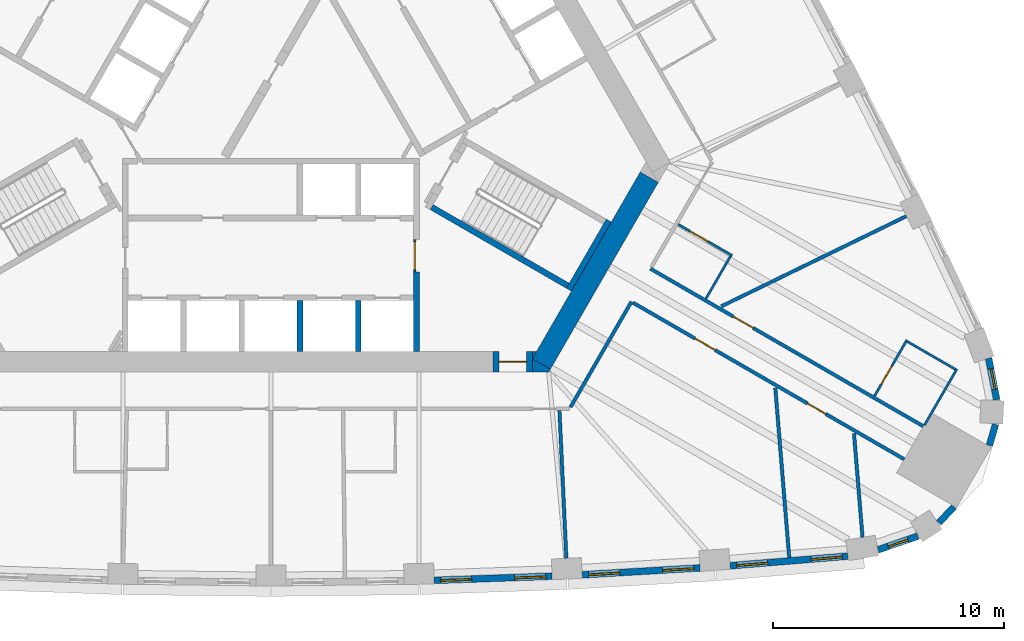
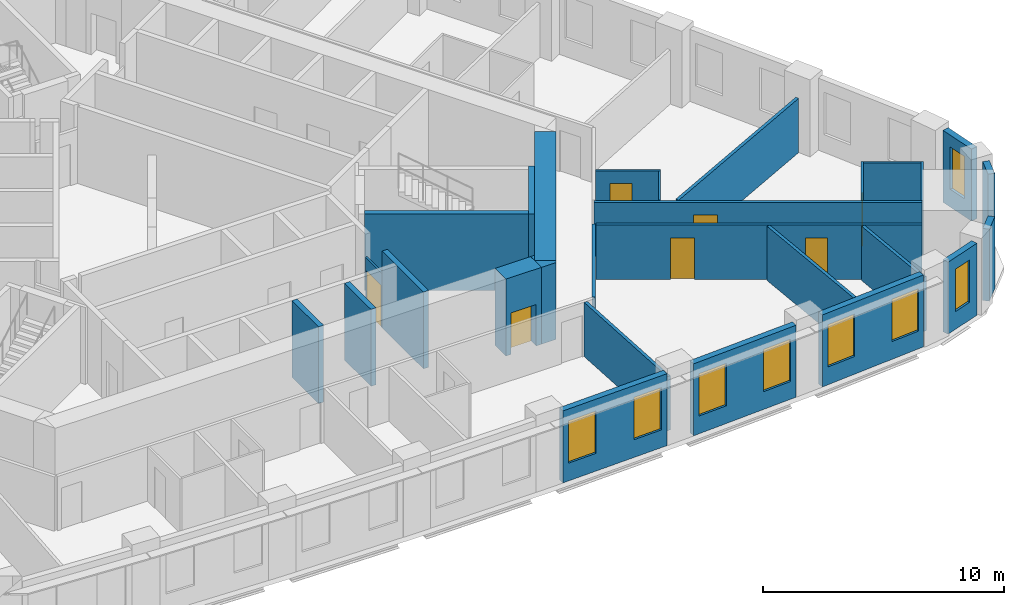
# One storey, part 7 of 12: 29 walls, 8 windows, 7 doors, 15 openings.
"""IFC4 building model written with IfcOpenShell, lengths in metres."""

from ifc_helpers import new_model, si_unit, direction, frame, frame_2d, origin, place, context, subcontext, project, spatial, polyline, rectangle, outline, extrude, material, layer, layer_set, type_object, element, fill, save


model = new_model("IFC4")

# Units and contexts
model_context = context("Model", 3, precision=1e-05, world=origin(), true_north=direction((0.0, 1.0)))
body_context = subcontext(model_context, "Body", "Model", "MODEL_VIEW")
ifc_project = project(units=[si_unit("LENGTHUNIT", "METRE"), si_unit("AREAUNIT", "SQUARE_METRE"), si_unit("VOLUMEUNIT", "CUBIC_METRE"), si_unit("PLANEANGLEUNIT", "RADIAN"), si_unit("MASSUNIT", "GRAM", prefix="KILO")], contexts=[model_context])

# Site, building, storey
site_placement = place(None, origin())
site = spatial("IfcSite", under=ifc_project, at=site_placement, CompositionType="ELEMENT")
building_placement = place(site_placement, origin())
building = spatial("IfcBuilding", under=site, at=building_placement, Name="Mestral Congress Tower", CompositionType="ELEMENT")
storey_placement = place(building_placement, frame((0.0, 0.0, 111.0)))
storey = spatial("IfcBuildingStorey", under=building, at=storey_placement, Name="L26", CompositionType="ELEMENT", Elevation=111.0)

# Wall, opening, door
ifc_material_1 = material(Name="Fire-rated board partition")
ifc_layer_1 = layer(ifc_material_1, 0.090087890625)
ifc_layer_set_1 = layer_set([ifc_layer_1], Name="Fire-rated board partition")
wall_type_1 = type_object("IfcWallType", Name="Core partition 150 door-wall 90", PredefinedType="PARTITIONING", material=ifc_layer_set_1)
wall_1_placement = place(storey_placement, frame((6.219970703125, -7.266357421875, 0.0), z_axis=(0.0, 0.0, 1.0), x_axis=(0.0, -1.0, 0.0)))
wall_1 = element("IfcWall", 1, at=wall_1_placement, inside=storey, type_object=wall_type_1, Name="L26 door wall", PredefinedType="PARTITIONING", context=body_context, shape_type="SweptSolid", body=[
    extrude(rectangle(XDim=1.400146484375, YDim=0.090087890625, at=frame_2d((0.7001953125, 0.0))), origin(), (0.0, 0.0, 1.0), 2.75),
])
opening_1_placement = place(wall_1_placement, frame((0.10009765625, 0.0, 0.0)))
opening_1 = element("IfcOpeningElement", 2, at=opening_1_placement, cuts=wall_1, Name="Opening LB0-WL1", PredefinedType="OPENING", context=body_context, shape_type="SweptSolid", body=[
    extrude(rectangle(XDim=1.199951171875, YDim=2.10009765625, at=frame_2d((0.60009765625, 1.050048828125))), frame((0.0, 0.054931640625, 0.0), z_axis=(0.0, -1.0, 0.0), x_axis=(1.0, 0.0, 0.0)), (0.0, 0.0, 1.0), 0.110107421875),
])
ifc_material_2 = material(Name="Fire-rated steel door set", Category="steel")
door_type_1 = type_object("IfcDoorType", Name="Core door LB 1200x2100", OperationType="SINGLE_SWING_LEFT", PredefinedType="DOOR", material=ifc_material_2)
door_1_placement = place(opening_1_placement, origin())
door_1 = element("IfcDoor", 3, at=door_1_placement, inside=storey, type_object=door_type_1, Name="Door LB0-WL1", OperationType="SINGLE_SWING_LEFT", OverallHeight=2.10009765625, OverallWidth=1.199951171875, PredefinedType="DOOR", context=body_context, shape_type="SweptSolid", body=[
    extrude(rectangle(XDim=1.199951171875, YDim=2.10009765625, at=frame_2d((0.60009765625, 1.050048828125))), frame((0.0, 0.02490234375, 0.0), z_axis=(0.0, -1.0, 0.0), x_axis=(1.0, 0.0, 0.0)), (0.0, 0.0, 1.0), 0.050048828125),
])
fill(opening_1, door_1)

# Walls
ifc_material_3 = material(Name="Concrete C60/75", Category="concrete")
ifc_layer_2 = layer(ifc_material_3, 0.89990234375)
ifc_layer_set_2 = layer_set([ifc_layer_2], Name="Concrete C60/75")
wall_type_2 = type_object("IfcWallType", Name="Core wall RC 900", PredefinedType="SOLIDWALL", material=ifc_layer_set_2)
wall_2_placement = place(storey_placement, frame((11.69482421875, -12.643798828125, 0.0), z_axis=(0.0, 0.0, 1.0), x_axis=(0.500010229568, 0.86601949766, 0.0)))
element("IfcWall", 4, at=wall_2_placement, inside=storey, type_object=wall_type_2, Name="L26 core wall", PredefinedType="SOLIDWALL", context=body_context, shape_type="SweptSolid", body=[
    extrude(rectangle(XDim=9.326416015625, YDim=0.89990234375, at=frame_2d((4.6630859375, 0.0))), origin(), (0.0, 0.0, 1.0), 3.89990234375),
])
placement = place(storey_placement, origin())
element("IfcWall", 5, at=placement, inside=storey, type_object=wall_type_2, Name="L26 core wall", PredefinedType="SOLIDWALL", context=body_context, shape_type="SweptSolid", body=[
    extrude(outline(polyline([(12.0087890625, -13.0), (11.31201171875, -13.0), (11.31201171875, -12.425048828125), (12.08349609375, -12.87060546875), (12.0087890625, -13.0)])), origin(), (0.0, 0.0, 1.0), 3.89990234375),
])
element("IfcWall", 6, at=placement, inside=storey, type_object=wall_type_2, Name="L26 core wall", PredefinedType="SOLIDWALL", context=body_context, shape_type="SweptSolid", body=[
    extrude(outline(polyline([(11.4892578125, -12.10009765625), (11.31201171875, -12.4072265625), (11.31201171875, -12.10009765625), (11.4892578125, -12.10009765625)])), origin(), (0.0, 0.0, 1.0), 3.89990234375),
])

# Wall, opening, door
wall_5_placement = place(storey_placement, frame((11.311767578125, -12.550048828125, 0.0), z_axis=(0.0, 0.0, 1.0), x_axis=(-1.0, 0.0, 0.0)))
wall_5 = element("IfcWall", 7, at=wall_5_placement, inside=storey, type_object=wall_type_2, Name="L26 door wall", PredefinedType="SOLIDWALL", context=body_context, shape_type="SweptSolid", body=[
    extrude(rectangle(XDim=1.699951171875, YDim=0.89990234375, at=frame_2d((0.85009765625, 0.0))), origin(), (0.0, 0.0, 1.0), 3.89990234375),
])
opening_2_placement = place(wall_5_placement, frame((0.25, 0.0, 0.0)))
opening_2 = element("IfcOpeningElement", 8, at=opening_2_placement, cuts=wall_5, Name="Opening XD1", PredefinedType="OPENING", context=body_context, shape_type="SweptSolid", body=[
    extrude(rectangle(XDim=1.199951171875, YDim=2.10009765625, at=frame_2d((0.60009765625, 1.050048828125))), frame((0.0, 0.4599609375, 0.0), z_axis=(0.0, -1.0, 0.0), x_axis=(1.0, 0.0, 0.0)), (0.0, 0.0, 1.0), 0.919921875),
])
door_type_2 = type_object("IfcDoorType", Name="Core door XD 1200x2100", OperationType="SINGLE_SWING_LEFT", PredefinedType="DOOR", material=ifc_material_2)
door_2_placement = place(opening_2_placement, origin())
door_2 = element("IfcDoor", 9, at=door_2_placement, inside=storey, type_object=door_type_2, Name="Door XD1", OperationType="SINGLE_SWING_LEFT", OverallHeight=2.10009765625, OverallWidth=1.199951171875, PredefinedType="DOOR", context=body_context, shape_type="SweptSolid", body=[
    extrude(rectangle(XDim=1.199951171875, YDim=2.10009765625, at=frame_2d((0.60009765625, 1.050048828125))), frame((0.0, 0.02490234375, 0.0), z_axis=(0.0, -1.0, 0.0), x_axis=(1.0, 0.0, 0.0)), (0.0, 0.0, 1.0), 0.050048828125),
])
fill(opening_2, door_2)

# Wall, openings, windows
ifc_material_4 = material(Name="Precast concrete C40/50 with limestone facing", Category="masonry")
ifc_layer_3 = layer(ifc_material_4, 0.2900390625)
ifc_layer_set_3 = layer_set([ifc_layer_3], Name="Precast concrete C40/50 with limestone facing")
wall_type_3 = type_object("IfcWallType", Name="Facade stone wall 290", PredefinedType="SOLIDWALL", material=ifc_layer_set_3)
wall_6_placement = place(storey_placement, frame((7.059326171875, -22.000732421875, 0.0), z_axis=(0.0, 0.0, 1.0), x_axis=(0.999385993957, 0.035037623812, 0.0)))
wall_6 = element("IfcWall", 10, at=wall_6_placement, inside=storey, type_object=wall_type_3, Name="Facade wall F0-05", PredefinedType="SOLIDWALL", context=body_context, shape_type="SweptSolid", body=[
    extrude(rectangle(XDim=5.1005859375, YDim=0.2900390625, at=frame_2d((2.55029296875, 0.0))), origin(), (0.0, 0.0, 1.0), 3.64990234375),
])
opening_3_placement = place(wall_6_placement, frame((0.272705078125, 0.0, 0.89990234375)))
opening_3 = element("IfcOpeningElement", 11, at=opening_3_placement, cuts=wall_6, Name="Opening W2", PredefinedType="OPENING", context=body_context, shape_type="SweptSolid", body=[
    extrude(rectangle(XDim=1.35009765625, YDim=2.14990234375, at=frame_2d((0.675048828125, 1.074951171875))), frame((0.0, 0.155029296875, 0.0), z_axis=(0.0, -1.0, 0.0), x_axis=(1.0, 0.0, 0.0)), (0.0, 0.0, 1.0), 0.31005859375),
])
opening_4_placement = place(wall_6_placement, frame((3.477783203125, 0.0, 0.89990234375)))
opening_4 = element("IfcOpeningElement", 12, at=opening_4_placement, cuts=wall_6, Name="Opening W2", PredefinedType="OPENING", context=body_context, shape_type="SweptSolid", body=[
    extrude(rectangle(XDim=1.35009765625, YDim=2.14990234375, at=frame_2d((0.675048828125, 1.074951171875))), frame((0.0, 0.155029296875, 0.0), z_axis=(0.0, -1.0, 0.0), x_axis=(1.0, 0.0, 0.0)), (0.0, 0.0, 1.0), 0.31005859375),
])
ifc_material_5 = material(Name="Clear low-emissivity double glazing", Category="glass")
window_type_1 = type_object("IfcWindowType", Name="Facade punched window 1350 x 2150 sill 900", PartitioningType="DOUBLE_PANEL_VERTICAL", PredefinedType="WINDOW", material=ifc_material_5)
window_1_placement = place(opening_3_placement, origin())
window_1 = element("IfcWindow", 13, at=window_1_placement, inside=storey, type_object=window_type_1, Name="Window F0-05a", OverallHeight=2.14990234375, OverallWidth=1.35009765625, PartitioningType="DOUBLE_PANEL_VERTICAL", PredefinedType="WINDOW", context=body_context, shape_type="SweptSolid", body=[
    extrude(rectangle(XDim=1.35009765625, YDim=2.14990234375, at=frame_2d((0.675048828125, 1.074951171875))), frame((0.0, 0.01513671875, 0.0), z_axis=(0.0, -1.0, 0.0), x_axis=(1.0, 0.0, 0.0)), (0.0, 0.0, 1.0), 0.06005859375),
])
fill(opening_3, window_1)
window_2_placement = place(opening_4_placement, origin())
window_2 = element("IfcWindow", 14, at=window_2_placement, inside=storey, type_object=window_type_1, Name="Window F0-05b", OverallHeight=2.14990234375, OverallWidth=1.35009765625, PartitioningType="DOUBLE_PANEL_VERTICAL", PredefinedType="WINDOW", context=body_context, shape_type="SweptSolid", body=[
    extrude(rectangle(XDim=1.35009765625, YDim=2.14990234375, at=frame_2d((0.675048828125, 1.074951171875))), frame((0.0, 0.01513671875, 0.0), z_axis=(0.0, -1.0, 0.0), x_axis=(1.0, 0.0, 0.0)), (0.0, 0.0, 1.0), 0.06005859375),
])
fill(opening_4, window_2)

wall_7_placement = place(storey_placement, frame((13.4619140625, -21.760986328125, 0.0), z_axis=(0.0, 0.0, 1.0), x_axis=(0.998290511436, 0.058447025388, 0.0)))
wall_7 = element("IfcWall", 15, at=wall_7_placement, inside=storey, type_object=wall_type_3, Name="Facade wall F0-06", PredefinedType="SOLIDWALL", context=body_context, shape_type="SweptSolid", body=[
    extrude(rectangle(XDim=5.100341796875, YDim=0.2900390625, at=frame_2d((2.55029296875, 0.0))), origin(), (0.0, 0.0, 1.0), 3.64990234375),
])
opening_5_placement = place(wall_7_placement, frame((0.2724609375, 0.0, 0.89990234375)))
opening_5 = element("IfcOpeningElement", 16, at=opening_5_placement, cuts=wall_7, Name="Opening W2", PredefinedType="OPENING", context=body_context, shape_type="SweptSolid", body=[
    extrude(rectangle(XDim=1.35009765625, YDim=2.14990234375, at=frame_2d((0.675048828125, 1.074951171875))), frame((0.0, 0.155029296875, 0.0), z_axis=(0.0, -1.0, 0.0), x_axis=(1.0, 0.0, 0.0)), (0.0, 0.0, 1.0), 0.31005859375),
])
opening_6_placement = place(wall_7_placement, frame((3.477783203125, 0.0, 0.89990234375)))
opening_6 = element("IfcOpeningElement", 17, at=opening_6_placement, cuts=wall_7, Name="Opening W2", PredefinedType="OPENING", context=body_context, shape_type="SweptSolid", body=[
    extrude(rectangle(XDim=1.35009765625, YDim=2.14990234375, at=frame_2d((0.675048828125, 1.074951171875))), frame((0.0, 0.155029296875, 0.0), z_axis=(0.0, -1.0, 0.0), x_axis=(1.0, 0.0, 0.0)), (0.0, 0.0, 1.0), 0.31005859375),
])
window_3_placement = place(opening_5_placement, origin())
window_3 = element("IfcWindow", 18, at=window_3_placement, inside=storey, type_object=window_type_1, Name="Window F0-06a", OverallHeight=2.14990234375, OverallWidth=1.35009765625, PartitioningType="DOUBLE_PANEL_VERTICAL", PredefinedType="WINDOW", context=body_context, shape_type="SweptSolid", body=[
    extrude(rectangle(XDim=1.35009765625, YDim=2.14990234375, at=frame_2d((0.675048828125, 1.074951171875))), frame((0.0, 0.01513671875, 0.0), z_axis=(0.0, -1.0, 0.0), x_axis=(1.0, 0.0, 0.0)), (0.0, 0.0, 1.0), 0.06005859375),
])
fill(opening_5, window_3)
window_4_placement = place(opening_6_placement, origin())
window_4 = element("IfcWindow", 19, at=window_4_placement, inside=storey, type_object=window_type_1, Name="Window F0-06b", OverallHeight=2.14990234375, OverallWidth=1.35009765625, PartitioningType="DOUBLE_PANEL_VERTICAL", PredefinedType="WINDOW", context=body_context, shape_type="SweptSolid", body=[
    extrude(rectangle(XDim=1.35009765625, YDim=2.14990234375, at=frame_2d((0.675048828125, 1.074951171875))), frame((0.0, 0.01513671875, 0.0), z_axis=(0.0, -1.0, 0.0), x_axis=(1.0, 0.0, 0.0)), (0.0, 0.0, 1.0), 0.06005859375),
])
fill(opening_6, window_4)

wall_8_placement = place(storey_placement, frame((19.856689453125, -21.37109375, 0.0), z_axis=(0.0, 0.0, 1.0), x_axis=(0.99665273362, 0.081751627308, 0.0)))
wall_8 = element("IfcWall", 20, at=wall_8_placement, inside=storey, type_object=wall_type_3, Name="Facade wall F0-07", PredefinedType="SOLIDWALL", context=body_context, shape_type="SweptSolid", body=[
    extrude(rectangle(XDim=5.106689453125, YDim=0.2900390625, at=frame_2d((2.55322265625, 0.0))), origin(), (0.0, 0.0, 1.0), 3.64990234375),
])
opening_7_placement = place(wall_8_placement, frame((0.285400390625, 0.0, 0.89990234375)))
opening_7 = element("IfcOpeningElement", 21, at=opening_7_placement, cuts=wall_8, Name="Opening W2", PredefinedType="OPENING", context=body_context, shape_type="SweptSolid", body=[
    extrude(rectangle(XDim=1.35009765625, YDim=2.14990234375, at=frame_2d((0.675048828125, 1.074951171875))), frame((0.0, 0.155029296875, 0.0), z_axis=(0.0, -1.0, 0.0), x_axis=(1.0, 0.0, 0.0)), (0.0, 0.0, 1.0), 0.31005859375),
])
opening_8_placement = place(wall_8_placement, frame((3.51611328125, 0.0, 0.89990234375)))
opening_8 = element("IfcOpeningElement", 22, at=opening_8_placement, cuts=wall_8, Name="Opening W2", PredefinedType="OPENING", context=body_context, shape_type="SweptSolid", body=[
    extrude(rectangle(XDim=1.35009765625, YDim=2.14990234375, at=frame_2d((0.675048828125, 1.074951171875))), frame((0.0, 0.155029296875, 0.0), z_axis=(0.0, -1.0, 0.0), x_axis=(1.0, 0.0, 0.0)), (0.0, 0.0, 1.0), 0.31005859375),
])
window_5_placement = place(opening_7_placement, origin())
window_5 = element("IfcWindow", 23, at=window_5_placement, inside=storey, type_object=window_type_1, Name="Window F0-07a", OverallHeight=2.14990234375, OverallWidth=1.35009765625, PartitioningType="DOUBLE_PANEL_VERTICAL", PredefinedType="WINDOW", context=body_context, shape_type="SweptSolid", body=[
    extrude(rectangle(XDim=1.35009765625, YDim=2.14990234375, at=frame_2d((0.675048828125, 1.074951171875))), frame((0.0, 0.01513671875, 0.0), z_axis=(0.0, -1.0, 0.0), x_axis=(1.0, 0.0, 0.0)), (0.0, 0.0, 1.0), 0.06005859375),
])
fill(opening_7, window_5)
window_6_placement = place(opening_8_placement, origin())
window_6 = element("IfcWindow", 24, at=window_6_placement, inside=storey, type_object=window_type_1, Name="Window F0-07b", OverallHeight=2.14990234375, OverallWidth=1.35009765625, PartitioningType="DOUBLE_PANEL_VERTICAL", PredefinedType="WINDOW", context=body_context, shape_type="SweptSolid", body=[
    extrude(rectangle(XDim=1.35009765625, YDim=2.14990234375, at=frame_2d((0.675048828125, 1.074951171875))), frame((0.0, 0.01513671875, 0.0), z_axis=(0.0, -1.0, 0.0), x_axis=(1.0, 0.0, 0.0)), (0.0, 0.0, 1.0), 0.06005859375),
])
fill(opening_8, window_6)

# Wall, opening, window
wall_9_placement = place(storey_placement, frame((26.260986328125, -20.67919921875, 0.0), z_axis=(0.0, 0.0, 1.0), x_axis=(0.945385815453, 0.325953462844, 0.0)))
wall_9 = element("IfcWall", 25, at=wall_9_placement, inside=storey, type_object=wall_type_3, Name="Facade wall K0-0", PredefinedType="SOLIDWALL", context=body_context, shape_type="SweptSolid", body=[
    extrude(rectangle(XDim=1.8193359375, YDim=0.2900390625, at=frame_2d((0.90966796875, 0.0))), origin(), (0.0, 0.0, 1.0), 3.64990234375),
])
opening_9_placement = place(wall_9_placement, frame((0.459716796875, 0.0, 0.89990234375)))
opening_9 = element("IfcOpeningElement", 26, at=opening_9_placement, cuts=wall_9, Name="Opening W3", PredefinedType="OPENING", context=body_context, shape_type="SweptSolid", body=[
    extrude(rectangle(XDim=0.89990234375, YDim=2.14990234375, at=frame_2d((0.449951171875, 1.074951171875))), frame((0.0, 0.155029296875, 0.0), z_axis=(0.0, -1.0, 0.0), x_axis=(1.0, 0.0, 0.0)), (0.0, 0.0, 1.0), 0.31005859375),
])
window_type_2 = type_object("IfcWindowType", Name="Facade punched window 900 x 2150 sill 900", PartitioningType="SINGLE_PANEL", PredefinedType="WINDOW", material=ifc_material_5)
window_7_placement = place(opening_9_placement, origin())
window_7 = element("IfcWindow", 27, at=window_7_placement, inside=storey, type_object=window_type_2, Name="Window K0-0", OverallHeight=2.14990234375, OverallWidth=0.89990234375, PartitioningType="SINGLE_PANEL", PredefinedType="WINDOW", context=body_context, shape_type="SweptSolid", body=[
    extrude(rectangle(XDim=0.89990234375, YDim=2.14990234375, at=frame_2d((0.449951171875, 1.074951171875))), frame((0.0, 0.01513671875, 0.0), z_axis=(0.0, -1.0, 0.0), x_axis=(1.0, 0.0, 0.0)), (0.0, 0.0, 1.0), 0.06005859375),
])
fill(opening_9, window_7)

# Walls
wall_10_placement = place(storey_placement, frame((28.88037109375, -19.50927734375, 0.0), z_axis=(0.0, 0.0, 1.0), x_axis=(0.690414427296, 0.723414071319, 0.0)))
element("IfcWall", 28, at=wall_10_placement, inside=storey, type_object=wall_type_3, Name="Facade wall K0-1", PredefinedType="SOLIDWALL", context=body_context, shape_type="SweptSolid", body=[
    extrude(rectangle(XDim=0.947021484375, YDim=0.2900390625, at=frame_2d((0.4736328125, 0.0))), origin(), (0.0, 0.0, 1.0), 3.64990234375),
])
wall_11_placement = place(storey_placement, frame((31.069091796875, -16.165283203125, 0.0), z_axis=(0.0, 0.0, 1.0), x_axis=(0.281454582132, 0.95957455062, 0.0)))
element("IfcWall", 29, at=wall_11_placement, inside=storey, type_object=wall_type_3, Name="Facade wall K0-2", PredefinedType="SOLIDWALL", context=body_context, shape_type="SweptSolid", body=[
    extrude(rectangle(XDim=0.947265625, YDim=0.2900390625, at=frame_2d((0.4736328125, 0.0))), origin(), (0.0, 0.0, 1.0), 3.64990234375),
])

# Wall, opening, window
wall_12_placement = place(storey_placement, frame((31.385498046875, -14.189208984375, 0.0), z_axis=(0.0, 0.0, 1.0), x_axis=(-0.190409913989, 0.981704672829, 0.0)))
wall_12 = element("IfcWall", 30, at=wall_12_placement, inside=storey, type_object=wall_type_3, Name="Facade wall K0-3", PredefinedType="SOLIDWALL", context=body_context, shape_type="SweptSolid", body=[
    extrude(rectangle(XDim=1.8193359375, YDim=0.2900390625, at=frame_2d((0.90966796875, 0.0))), origin(), (0.0, 0.0, 1.0), 3.64990234375),
])
opening_10_placement = place(wall_12_placement, frame((0.459716796875, 0.0, 0.89990234375)))
opening_10 = element("IfcOpeningElement", 31, at=opening_10_placement, cuts=wall_12, Name="Opening W3", PredefinedType="OPENING", context=body_context, shape_type="SweptSolid", body=[
    extrude(rectangle(XDim=0.89990234375, YDim=2.14990234375, at=frame_2d((0.449951171875, 1.074951171875))), frame((0.0, 0.155029296875, 0.0), z_axis=(0.0, -1.0, 0.0), x_axis=(1.0, 0.0, 0.0)), (0.0, 0.0, 1.0), 0.31005859375),
])
window_8_placement = place(opening_10_placement, origin())
window_8 = element("IfcWindow", 32, at=window_8_placement, inside=storey, type_object=window_type_2, Name="Window K0-3", OverallHeight=2.14990234375, OverallWidth=0.89990234375, PartitioningType="SINGLE_PANEL", PredefinedType="WINDOW", context=body_context, shape_type="SweptSolid", body=[
    extrude(rectangle(XDim=0.89990234375, YDim=2.14990234375, at=frame_2d((0.449951171875, 1.074951171875))), frame((0.0, 0.01513671875, 0.0), z_axis=(0.0, -1.0, 0.0), x_axis=(1.0, 0.0, 0.0)), (0.0, 0.0, 1.0), 0.06005859375),
])
fill(opening_10, window_8)

# Wall, opening, door
ifc_material_6 = material(Name="Gypsum board partition on metal studs with mineral wool", Category="composite")
ifc_layer_4 = layer(ifc_material_6, 0.10009765625)
ifc_layer_set_4 = layer_set([ifc_layer_4], Name="Gypsum board partition on metal studs with mineral wool")
wall_type_4 = type_object("IfcWallType", Name="Hotel partition wall 100", PredefinedType="PARTITIONING", material=ifc_layer_set_4)
wall_13_placement = place(storey_placement, frame((27.50048828125, -11.60498046875, 0.0), z_axis=(0.0, 0.0, 1.0), x_axis=(-0.500049511043, -0.865996816683, 0.0)))
wall_13 = element("IfcWall", 33, at=wall_13_placement, inside=storey, type_object=wall_type_4, Name="L26-h-pod08a", PredefinedType="PARTITIONING", context=body_context, shape_type="SweptSolid", body=[
    extrude(rectangle(XDim=2.800048828125, YDim=0.10009765625, at=frame_2d((1.39990234375, 0.0))), origin(), (0.0, 0.0, 1.0), 2.75),
])
opening_11_placement = place(wall_13_placement, frame((1.300048828125, 0.0, 0.0)))
opening_11 = element("IfcOpeningElement", 34, at=opening_11_placement, cuts=wall_13, Name="Opening H08-013", PredefinedType="OPENING", context=body_context, shape_type="SweptSolid", body=[
    extrude(rectangle(XDim=0.89990234375, YDim=2.10009765625, at=frame_2d((0.449951171875, 1.050048828125))), frame((0.0, 0.06005859375, 0.0), z_axis=(0.0, -1.0, 0.0), x_axis=(1.0, 0.0, 0.0)), (0.0, 0.0, 1.0), 0.1201171875),
])
ifc_material_7 = material(Name="Timber veneer door leaf in timber frame", Category="wood")
door_type_3 = type_object("IfcDoorType", Name="Bathroom door 900", OperationType="SINGLE_SWING_LEFT", PredefinedType="DOOR", material=ifc_material_7)
door_3_placement = place(opening_11_placement, origin())
door_3 = element("IfcDoor", 35, at=door_3_placement, inside=storey, type_object=door_type_3, Name="L26-h-d013", OperationType="SINGLE_SWING_LEFT", OverallHeight=2.10009765625, OverallWidth=0.89990234375, PredefinedType="DOOR", context=body_context, shape_type="SweptSolid", body=[
    extrude(rectangle(XDim=0.89990234375, YDim=2.10009765625, at=frame_2d((0.449951171875, 1.050048828125))), frame((0.0, 0.02490234375, 0.0), z_axis=(0.0, -1.0, 0.0), x_axis=(1.0, 0.0, 0.0)), (0.0, 0.0, 1.0), 0.050048828125),
])
fill(opening_11, door_3)

# Walls
wall_14_placement = place(storey_placement, frame((27.518798828125, -11.67333984375, 0.0), z_axis=(0.0, 0.0, 1.0), x_axis=(0.866024647952, -0.500001309137, 0.0)))
element("IfcWall", 36, at=wall_14_placement, inside=storey, type_object=wall_type_4, Name="L26-h-pod08b", PredefinedType="PARTITIONING", context=body_context, shape_type="SweptSolid", body=[
    extrude(rectangle(XDim=2.39990234375, YDim=0.10009765625, at=frame_2d((1.199951171875, 0.0))), origin(), (0.0, 0.0, 1.0), 2.75),
])
wall_15_placement = place(storey_placement, frame((28.265380859375, -15.27978515625, 0.0), z_axis=(0.0, 0.0, 1.0), x_axis=(0.500049511043, 0.865996816683, 0.0)))
element("IfcWall", 37, at=wall_15_placement, inside=storey, type_object=wall_type_4, Name="L26-h-pod08c", PredefinedType="PARTITIONING", context=body_context, shape_type="SweptSolid", body=[
    extrude(rectangle(XDim=2.800048828125, YDim=0.10009765625, at=frame_2d((1.39990234375, 0.0))), origin(), (0.0, 0.0, 1.0), 2.75),
])

# Wall, opening, door
wall_16_placement = place(storey_placement, frame((19.945556640625, -7.953369140625, 0.0), z_axis=(0.0, 0.0, 1.0), x_axis=(-0.86599734893, 0.500048589285, 0.0)))
wall_16 = element("IfcWall", 38, at=wall_16_placement, inside=storey, type_object=wall_type_4, Name="L26-h-pod09a", PredefinedType="PARTITIONING", context=body_context, shape_type="SweptSolid", body=[
    extrude(rectangle(XDim=2.699951171875, YDim=0.10009765625, at=frame_2d((1.35009765625, 0.0))), origin(), (0.0, 0.0, 1.0), 2.75),
])
opening_12_placement = place(wall_16_placement, frame((1.199951171875, 0.0, 0.0)))
opening_12 = element("IfcOpeningElement", 39, at=opening_12_placement, cuts=wall_16, Name="Opening H08-015", PredefinedType="OPENING", context=body_context, shape_type="SweptSolid", body=[
    extrude(rectangle(XDim=0.89990234375, YDim=2.10009765625, at=frame_2d((0.449951171875, 1.050048828125))), frame((0.0, 0.06005859375, 0.0), z_axis=(0.0, -1.0, 0.0), x_axis=(1.0, 0.0, 0.0)), (0.0, 0.0, 1.0), 0.1201171875),
])
door_4_placement = place(opening_12_placement, origin())
door_4 = element("IfcDoor", 40, at=door_4_placement, inside=storey, type_object=door_type_3, Name="L26-h-d015", OperationType="SINGLE_SWING_RIGHT", OverallHeight=2.10009765625, OverallWidth=0.89990234375, PredefinedType="DOOR", context=body_context, shape_type="SweptSolid", body=[
    extrude(rectangle(XDim=0.89990234375, YDim=2.10009765625, at=frame_2d((0.449951171875, 1.050048828125))), frame((0.0, 0.02490234375, 0.0), z_axis=(0.0, -1.0, 0.0), x_axis=(1.0, 0.0, 0.0)), (0.0, 0.0, 1.0), 0.050048828125),
])
fill(opening_12, door_4)

# Wall
wall_17_placement = place(storey_placement, frame((19.877197265625, -7.9716796875, 0.0), z_axis=(0.0, 0.0, 1.0), x_axis=(-0.500010206181, -0.866019511163, 0.0)))
element("IfcWall", 41, at=wall_17_placement, inside=storey, type_object=wall_type_4, Name="L26-h-pod09b", PredefinedType="PARTITIONING", context=body_context, shape_type="SweptSolid", body=[
    extrude(rectangle(XDim=2.1298828125, YDim=0.10009765625, at=frame_2d((1.06494140625, 0.0))), origin(), (0.0, 0.0, 1.0), 2.75),
])

# Wall, opening, door
ifc_layer_5 = layer(ifc_material_6, 0.14990234375)
ifc_layer_set_5 = layer_set([ifc_layer_5], Name="Gypsum board partition on metal studs with mineral wool")
wall_type_5 = type_object("IfcWallType", Name="Hotel partition wall 150", PredefinedType="PARTITIONING", material=ifc_layer_set_5)
wall_18_placement = place(storey_placement, frame((16.412353515625, -8.52294921875, 0.0), z_axis=(0.0, 0.0, 1.0), x_axis=(0.866025629663, -0.499999608766, 0.0)))
wall_18 = element("IfcWall", 42, at=wall_18_placement, inside=storey, type_object=wall_type_5, Name="L26-h-cw01", PredefinedType="PARTITIONING", context=body_context, shape_type="SweptSolid", body=[
    extrude(rectangle(XDim=13.62353515625, YDim=0.14990234375, at=frame_2d((6.811767578125, 0.0))), origin(), (0.0, 0.0, 1.0), 2.75),
])
opening_13_placement = place(wall_18_placement, frame((4.134033203125, 0.0, 0.0)))
opening_13 = element("IfcOpeningElement", 43, at=opening_13_placement, cuts=wall_18, Name="Opening H08-012", PredefinedType="OPENING", context=body_context, shape_type="SweptSolid", body=[
    extrude(rectangle(XDim=1.0, YDim=2.10009765625, at=frame_2d((0.5, 1.050048828125))), frame((0.0, 0.0849609375, 0.0), z_axis=(0.0, -1.0, 0.0), x_axis=(1.0, 0.0, 0.0)), (0.0, 0.0, 1.0), 0.169921875),
])
ifc_material_8 = material(Name="Timber veneer door leaf in metal frame", Category="wood")
door_type_4 = type_object("IfcDoorType", Name="Guest room entrance door 1000", OperationType="SINGLE_SWING_LEFT", PredefinedType="DOOR", material=ifc_material_8)
door_5_placement = place(opening_13_placement, origin())
door_5 = element("IfcDoor", 44, at=door_5_placement, inside=storey, type_object=door_type_4, Name="L26-h-d012", OperationType="SINGLE_SWING_LEFT", OverallHeight=2.10009765625, OverallWidth=1.0, PredefinedType="DOOR", context=body_context, shape_type="SweptSolid", body=[
    extrude(rectangle(XDim=1.0, YDim=2.10009765625, at=frame_2d((0.5, 1.050048828125))), frame((0.0, 0.02490234375, 0.0), z_axis=(0.0, -1.0, 0.0), x_axis=(1.0, 0.0, 0.0)), (0.0, 0.0, 1.0), 0.050048828125),
])
fill(opening_13, door_5)

# Wall
wall_19_placement = place(storey_placement, frame((15.58740234375, -9.951904296875, 0.0), z_axis=(0.0, 0.0, 1.0), x_axis=(-0.500016618951, -0.866015808616, 0.0)))
element("IfcWall", 45, at=wall_19_placement, inside=storey, type_object=wall_type_5, Name="L26-h-cw14", PredefinedType="PARTITIONING", context=body_context, shape_type="SweptSolid", body=[
    extrude(rectangle(XDim=5.268310546875, YDim=0.14990234375, at=frame_2d((2.63427734375, 0.0))), origin(), (0.0, 0.0, 1.0), 2.75),
])

# Wall, openings, doors
wall_20_placement = place(storey_placement, frame((27.3857421875, -16.763916015625, 0.0), z_axis=(0.0, 0.0, 1.0), x_axis=(-0.866022585856, 0.500004880763, 0.0)))
wall_20 = element("IfcWall", 46, at=wall_20_placement, inside=storey, type_object=wall_type_5, Name="L26-h-cw15", PredefinedType="PARTITIONING", context=body_context, shape_type="SweptSolid", body=[
    extrude(rectangle(XDim=13.543701171875, YDim=0.14990234375, at=frame_2d((6.77197265625, 0.0))), origin(), (0.0, 0.0, 1.0), 2.75),
])
opening_14_placement = place(wall_20_placement, frame((9.447021484375, 0.0, 0.0)))
opening_14 = element("IfcOpeningElement", 47, at=opening_14_placement, cuts=wall_20, Name="Opening H08-010", PredefinedType="OPENING", context=body_context, shape_type="SweptSolid", body=[
    extrude(rectangle(XDim=1.0, YDim=2.10009765625, at=frame_2d((0.5, 1.050048828125))), frame((0.0, 0.0849609375, 0.0), z_axis=(0.0, -1.0, 0.0), x_axis=(1.0, 0.0, 0.0)), (0.0, 0.0, 1.0), 0.169921875),
])
opening_15_placement = place(wall_20_placement, frame((3.926025390625, 0.0, 0.0)))
opening_15 = element("IfcOpeningElement", 48, at=opening_15_placement, cuts=wall_20, Name="Opening H08-011", PredefinedType="OPENING", context=body_context, shape_type="SweptSolid", body=[
    extrude(rectangle(XDim=0.89990234375, YDim=2.10009765625, at=frame_2d((0.449951171875, 1.050048828125))), frame((0.0, 0.0849609375, 0.0), z_axis=(0.0, -1.0, 0.0), x_axis=(1.0, 0.0, 0.0)), (0.0, 0.0, 1.0), 0.169921875),
])
door_6_placement = place(opening_14_placement, origin())
door_6 = element("IfcDoor", 49, at=door_6_placement, inside=storey, type_object=door_type_4, Name="L26-h-d010", OperationType="SINGLE_SWING_RIGHT", OverallHeight=2.10009765625, OverallWidth=1.0, PredefinedType="DOOR", context=body_context, shape_type="SweptSolid", body=[
    extrude(rectangle(XDim=1.0, YDim=2.10009765625, at=frame_2d((0.5, 1.050048828125))), frame((0.0, 0.02490234375, 0.0), z_axis=(0.0, -1.0, 0.0), x_axis=(1.0, 0.0, 0.0)), (0.0, 0.0, 1.0), 0.050048828125),
])
fill(opening_14, door_6)
door_type_5 = type_object("IfcDoorType", Name="Service room door 900", OperationType="SINGLE_SWING_LEFT", PredefinedType="DOOR", material=ifc_material_8)
door_7_placement = place(opening_15_placement, origin())
door_7 = element("IfcDoor", 50, at=door_7_placement, inside=storey, type_object=door_type_5, Name="L26-h-d011", OperationType="SINGLE_SWING_LEFT", OverallHeight=2.10009765625, OverallWidth=0.89990234375, PredefinedType="DOOR", context=body_context, shape_type="SweptSolid", body=[
    extrude(rectangle(XDim=0.89990234375, YDim=2.10009765625, at=frame_2d((0.449951171875, 1.050048828125))), frame((0.0, 0.02490234375, 0.0), z_axis=(0.0, -1.0, 0.0), x_axis=(1.0, 0.0, 0.0)), (0.0, 0.0, 1.0), 0.050048828125),
])
fill(opening_15, door_7)

# Walls
wall_21_placement = place(storey_placement, frame((12.7744140625, -21.044921875, 0.0), z_axis=(0.0, 0.0, 1.0), x_axis=(-0.046750341626, 0.998906605023, 0.0)))
element("IfcWall", 51, at=wall_21_placement, inside=storey, type_object=wall_type_5, Name="L26-h-pw20", PredefinedType="PARTITIONING", context=body_context, shape_type="SweptSolid", body=[
    extrude(rectangle(XDim=6.39208984375, YDim=0.14990234375, at=frame_2d((3.196044921875, 0.0))), origin(), (0.0, 0.0, 1.0), 2.75),
])
wall_22_placement = place(storey_placement, frame((27.478271484375, -6.2509765625, 0.0), z_axis=(0.0, 0.0, 1.0), x_axis=(-0.898940618603, -0.438070501432, 0.0)))
element("IfcWall", 52, at=wall_22_placement, inside=storey, type_object=wall_type_5, Name="L26-h-pw24", PredefinedType="PARTITIONING", context=body_context, shape_type="SweptSolid", body=[
    extrude(rectangle(XDim=8.9091796875, YDim=0.14990234375, at=frame_2d((4.45458984375, 0.0))), origin(), (0.0, 0.0, 1.0), 2.75),
])
wall_23_placement = place(storey_placement, frame((22.412109375, -21.01611328125, 0.0), z_axis=(0.0, 0.0, 1.0), x_axis=(-0.081744540534, 0.996653314896, 0.0)))
element("IfcWall", 53, at=wall_23_placement, inside=storey, type_object=wall_type_5, Name="L26-h-pw25", PredefinedType="PARTITIONING", context=body_context, shape_type="SweptSolid", body=[
    extrude(rectangle(XDim=7.362060546875, YDim=0.14990234375, at=frame_2d((3.68115234375, 0.0))), origin(), (0.0, 0.0, 1.0), 2.75),
])
wall_24_placement = place(storey_placement, frame((25.581787109375, -20.13818359375, 0.0), z_axis=(0.0, 0.0, 1.0), x_axis=(-0.081746132986, 0.996653184283, 0.0)))
element("IfcWall", 54, at=wall_24_placement, inside=storey, type_object=wall_type_5, Name="L26-h-pw26", PredefinedType="PARTITIONING", context=body_context, shape_type="SweptSolid", body=[
    extrude(rectangle(XDim=4.509765625, YDim=0.14990234375, at=frame_2d((2.2548828125, 0.0))), origin(), (0.0, 0.0, 1.0), 2.75),
])
ifc_layer_6 = layer(ifc_material_3, 0.25)
ifc_layer_set_6 = layer_set([ifc_layer_6], Name="Concrete C60/75")
wall_type_6 = type_object("IfcWallType", Name="Shaft wall RC 250", PredefinedType="SOLIDWALL", material=ifc_layer_set_6)
wall_25_placement = place(storey_placement, frame((6.300048828125, -8.669921875, 0.0), z_axis=(0.0, 0.0, 1.0), x_axis=(0.0, -1.0, 0.0)))
element("IfcWall", 55, at=wall_25_placement, inside=storey, type_object=wall_type_6, Name="L26 core wall", PredefinedType="SOLIDWALL", context=body_context, shape_type="SweptSolid", body=[
    extrude(rectangle(XDim=3.43017578125, YDim=0.25, at=frame_2d((1.715087890625, 0.0))), origin(), (0.0, 0.0, 1.0), 3.89990234375),
])
for number, where, z_axis, x_axis, name in (
    (56, (3.780029296875, -12.10009765625, 0.0), (0.0, 0.0, 1.0), (0.0, 1.0, 0.0), "L26 core wall"),
    (57, (1.260009765625, -12.10009765625, 0.0), (0.0, 0.0, 1.0), (0.0, 1.0, 0.0), "L26 core wall"),
):
    element("IfcWall", number, at=place(storey_placement, frame(where, z_axis=z_axis, x_axis=x_axis)), inside=storey, type_object=wall_type_6, Name=name, PredefinedType="SOLIDWALL", context=body_context, shape_type="SweptSolid", body=[
        extrude(rectangle(XDim=2.199951171875, YDim=0.25, at=frame_2d((1.10009765625, 0.0))), origin(), (0.0, 0.0, 1.0), 3.89990234375),
    ])
ifc_layer_7 = layer(ifc_material_3, 0.25)
ifc_layer_set_7 = layer_set([ifc_layer_7], Name="Concrete C60/75")
wall_type_7 = type_object("IfcWallType", Name="Stair wall RC 250", PredefinedType="SOLIDWALL", material=ifc_layer_set_7)
wall_26_placement = place(storey_placement, frame((12.885498046875, -9.431396484375, 0.0), z_axis=(0.0, 0.0, 1.0), x_axis=(0.500020560727, 0.866013532718, 0.0)))
element("IfcWall", 58, at=wall_26_placement, inside=storey, type_object=wall_type_7, Name="L26 core wall", PredefinedType="SOLIDWALL", context=body_context, shape_type="SweptSolid", body=[
    extrude(rectangle(XDim=3.449951171875, YDim=0.25, at=frame_2d((1.72509765625, 0.0))), origin(), (0.0, 0.0, 1.0), 3.89990234375),
])
wall_27_placement = place(storey_placement, frame((12.83984375, -9.2607421875, 0.0), z_axis=(0.0, 0.0, 1.0), x_axis=(-0.866013990052, 0.500019768644, 0.0)))
element("IfcWall", 59, at=wall_27_placement, inside=storey, type_object=wall_type_7, Name="L26 core wall", PredefinedType="SOLIDWALL", context=body_context, shape_type="SweptSolid", body=[
    extrude(rectangle(XDim=6.800048828125, YDim=0.25, at=frame_2d((3.39990234375, 0.0))), origin(), (0.0, 0.0, 1.0), 3.89990234375),
])

save(model, "model.ifc")
